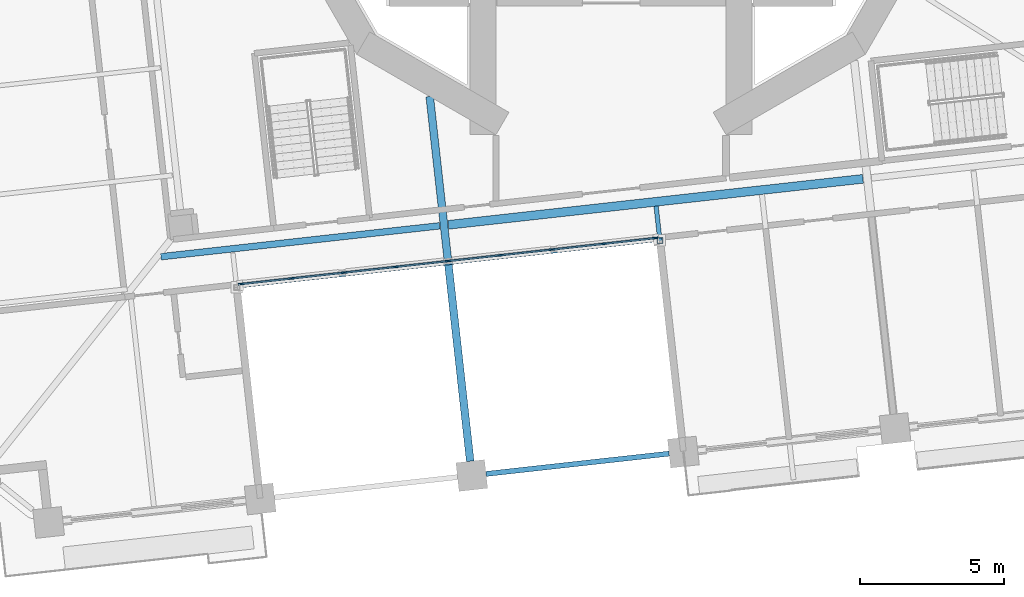
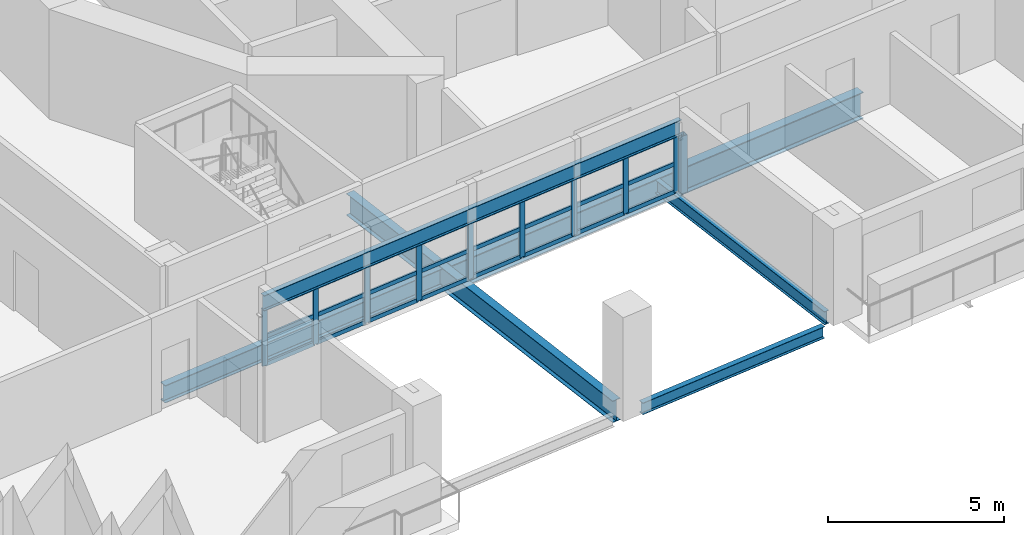
# One storey, part 3 of 21: 34 members, 6 beams, 1 element without a shape of its own.
"""IFC4 building model written with IfcOpenShell, lengths in metres."""

from ifc_helpers import new_model, si_unit, direction, frame, origin, origin_2d, place, context, subcontext, project, spatial, rectangle, hollow_rectangle, i_section, extrude, material, material_profile, profile_set, type_object, element, aggregate, save


model = new_model("IFC4")

# Units and contexts
model_context = context("Model", 3, precision=1e-05, world=origin(), true_north=direction((0.0, 1.0)))
body_context = subcontext(model_context, "Body", "Model", "MODEL_VIEW")
ifc_project = project(units=[si_unit("LENGTHUNIT", "METRE"), si_unit("AREAUNIT", "SQUARE_METRE"), si_unit("VOLUMEUNIT", "CUBIC_METRE"), si_unit("PLANEANGLEUNIT", "RADIAN"), si_unit("MASSUNIT", "GRAM", prefix="KILO")], contexts=[model_context])

# Site, building, storey
site_placement = place(None, origin())
site = spatial("IfcSite", under=ifc_project, at=site_placement, CompositionType="ELEMENT")
building_placement = place(site_placement, origin())
building = spatial("IfcBuilding", under=site, at=building_placement, Name="Cantera Rosa Tower", CompositionType="ELEMENT")
storey_placement = place(building_placement, frame((0.0, 0.0, 80.5)))
storey = spatial("IfcBuildingStorey", under=building, at=storey_placement, Name="L17", CompositionType="ELEMENT", Elevation=80.5)

# Curtain wall, members
ifc_material_1 = material(Name="Aluminium frame with clear glass", Category="aluminium")
curtain_wall_type = type_object("IfcCurtainWallType", Name="CW1 TERRACE POCKET GLAZING", PredefinedType="NOTDEFINED", material=ifc_material_1)
curtain_wall_placement = place(storey_placement, origin())
curtain_wall = element("IfcCurtainWall", 1, at=curtain_wall_placement, inside=storey, type_object=curtain_wall_type, Name="CW1 CW1", PredefinedType="NOTDEFINED")
ifc_material_2 = material(Name="Anodised bronze aluminium", Category="aluminium")
ifc_material_profile_1 = material_profile(ifc_material_2, rectangle(XDim=0.06005859375, YDim=0.179931640625, at=origin_2d()), Name="CW-MULLION 60x180 POCKET")
ifc_profile_set_1 = profile_set([ifc_material_profile_1], Name="Anodised bronze aluminium")
member_type_1 = type_object("IfcMemberType", Name="CW-MULLION 60x180 POCKET", PredefinedType="MULLION", material=ifc_profile_set_1)
member_1_placement = place(storey_placement, frame((-12.867919921875, -16.822265625, 0.0), z_axis=(0.0, 0.0, 1.0), x_axis=(-0.110312555543, 0.993896946413, 0.0)))
member_1 = element("IfcMember", 2, at=member_1_placement, type_object=member_type_1, Name="CW1 mullion 1", PredefinedType="MULLION", context=body_context, shape_type="SweptSolid", body=[
    extrude(rectangle(XDim=0.06005859375, YDim=0.179931640625, at=origin_2d()), origin(), (0.0, 0.0, 1.0), 1.986083984375),
])
member_2_placement = place(storey_placement, frame((-11.090087890625, -16.624755859375, 0.0), z_axis=(0.0, 0.0, 1.0), x_axis=(-0.110312555543, 0.993896946413, 0.0)))
member_2 = element("IfcMember", 3, at=member_2_placement, type_object=member_type_1, Name="CW1 mullion 2", PredefinedType="MULLION", context=body_context, shape_type="SweptSolid", body=[
    extrude(rectangle(XDim=0.06005859375, YDim=0.179931640625, at=origin_2d()), origin(), (0.0, 0.0, 1.0), 1.986083984375),
])
member_3_placement = place(storey_placement, frame((-9.282470703125, -16.42431640625, 0.0), z_axis=(0.0, 0.0, 1.0), x_axis=(-0.110312555543, 0.993896946413, 0.0)))
member_3 = element("IfcMember", 4, at=member_3_placement, type_object=member_type_1, Name="CW1 mullion 3", PredefinedType="MULLION", context=body_context, shape_type="SweptSolid", body=[
    extrude(rectangle(XDim=0.06005859375, YDim=0.179931640625, at=origin_2d()), origin(), (0.0, 0.0, 1.0), 1.986083984375),
])
member_4_placement = place(storey_placement, frame((-7.474609375, -16.2236328125, 0.0), z_axis=(0.0, 0.0, 1.0), x_axis=(-0.110312555543, 0.993896946413, 0.0)))
member_4 = element("IfcMember", 5, at=member_4_placement, type_object=member_type_1, Name="CW1 mullion 4", PredefinedType="MULLION", context=body_context, shape_type="SweptSolid", body=[
    extrude(rectangle(XDim=0.06005859375, YDim=0.179931640625, at=origin_2d()), origin(), (0.0, 0.0, 1.0), 1.986083984375),
])
member_5_placement = place(storey_placement, frame((-5.6669921875, -16.02294921875, 0.0), z_axis=(0.0, 0.0, 1.0), x_axis=(-0.110312555543, 0.993896946413, 0.0)))
member_5 = element("IfcMember", 6, at=member_5_placement, type_object=member_type_1, Name="CW1 mullion 5", PredefinedType="MULLION", context=body_context, shape_type="SweptSolid", body=[
    extrude(rectangle(XDim=0.06005859375, YDim=0.179931640625, at=origin_2d()), origin(), (0.0, 0.0, 1.0), 1.986083984375),
])
member_6_placement = place(storey_placement, frame((-3.859375, -15.822265625, 0.0), z_axis=(0.0, 0.0, 1.0), x_axis=(-0.110312555543, 0.993896946413, 0.0)))
member_6 = element("IfcMember", 7, at=member_6_placement, type_object=member_type_1, Name="CW1 mullion 6", PredefinedType="MULLION", context=body_context, shape_type="SweptSolid", body=[
    extrude(rectangle(XDim=0.06005859375, YDim=0.179931640625, at=origin_2d()), origin(), (0.0, 0.0, 1.0), 1.986083984375),
])
member_7_placement = place(storey_placement, frame((-2.0517578125, -15.62158203125, 0.0), z_axis=(0.0, 0.0, 1.0), x_axis=(-0.110312555543, 0.993896946413, 0.0)))
member_7 = element("IfcMember", 8, at=member_7_placement, type_object=member_type_1, Name="CW1 mullion 7", PredefinedType="MULLION", context=body_context, shape_type="SweptSolid", body=[
    extrude(rectangle(XDim=0.06005859375, YDim=0.179931640625, at=origin_2d()), origin(), (0.0, 0.0, 1.0), 1.986083984375),
])
member_8_placement = place(storey_placement, frame((-0.244140625, -15.421142578125, 0.0), z_axis=(0.0, 0.0, 1.0), x_axis=(-0.110312555543, 0.993896946413, 0.0)))
member_8 = element("IfcMember", 9, at=member_8_placement, type_object=member_type_1, Name="CW1 mullion 8", PredefinedType="MULLION", context=body_context, shape_type="SweptSolid", body=[
    extrude(rectangle(XDim=0.06005859375, YDim=0.179931640625, at=origin_2d()), origin(), (0.0, 0.0, 1.0), 1.986083984375),
])
member_9_placement = place(storey_placement, frame((1.53369140625, -15.2236328125, 0.0), z_axis=(0.0, 0.0, 1.0), x_axis=(-0.110312555543, 0.993896946413, 0.0)))
member_9 = element("IfcMember", 10, at=member_9_placement, type_object=member_type_1, Name="CW1 mullion 9", PredefinedType="MULLION", context=body_context, shape_type="SweptSolid", body=[
    extrude(rectangle(XDim=0.06005859375, YDim=0.179931640625, at=origin_2d()), origin(), (0.0, 0.0, 1.0), 1.986083984375),
])
ifc_material_3 = material(Name="Anodised bronze aluminium", Category="aluminium")
ifc_material_profile_2 = material_profile(ifc_material_3, rectangle(XDim=0.06005859375, YDim=0.139892578125, at=origin_2d()), Name="CW-TRANSOM 60x140 POCKET")
ifc_profile_set_2 = profile_set([ifc_material_profile_2], Name="Anodised bronze aluminium")
member_type_2 = type_object("IfcMemberType", Name="CW-TRANSOM 60x140 POCKET", PredefinedType="USERDEFINED", material=ifc_profile_set_2)
member_10_placement = place(storey_placement, frame((-12.838134765625, -16.81884765625, 0.030029296875), z_axis=(0.993899224529, 0.110292028184, 0.0), x_axis=(-0.110292028184, 0.993899224529, 0.0)))
member_10 = element("IfcMember", 11, at=member_10_placement, type_object=member_type_2, Name="CW1 transom 1.1", ObjectType="TRANSOM", PredefinedType="USERDEFINED", context=body_context, shape_type="SweptSolid", body=[
    extrude(rectangle(XDim=0.06005859375, YDim=0.139892578125, at=origin_2d()), origin(), (0.0, 0.0, 1.0), 1.728759765625),
])
member_11_placement = place(storey_placement, frame((-12.838134765625, -16.81884765625, 0.992919921875), z_axis=(0.993899224529, 0.110292028184, 0.0), x_axis=(-0.110292028184, 0.993899224529, 0.0)))
member_11 = element("IfcMember", 12, at=member_11_placement, type_object=member_type_2, Name="CW1 transom 1.2", ObjectType="TRANSOM", PredefinedType="USERDEFINED", context=body_context, shape_type="SweptSolid", body=[
    extrude(rectangle(XDim=0.06005859375, YDim=0.139892578125, at=origin_2d()), origin(), (0.0, 0.0, 1.0), 1.728759765625),
])
member_12_placement = place(storey_placement, frame((-12.838134765625, -16.81884765625, 1.9560546875), z_axis=(0.993899224529, 0.110292028184, 0.0), x_axis=(-0.110292028184, 0.993899224529, 0.0)))
member_12 = element("IfcMember", 13, at=member_12_placement, type_object=member_type_2, Name="CW1 transom 1.3", ObjectType="TRANSOM", PredefinedType="USERDEFINED", context=body_context, shape_type="SweptSolid", body=[
    extrude(rectangle(XDim=0.06005859375, YDim=0.139892578125, at=origin_2d()), origin(), (0.0, 0.0, 1.0), 1.728759765625),
])
member_13_placement = place(storey_placement, frame((-11.060302734375, -16.62158203125, 0.030029296875), z_axis=(0.993892195886, 0.110355348566, 0.0), x_axis=(-0.110355348566, 0.993892195886, 0.0)))
member_13 = element("IfcMember", 14, at=member_13_placement, type_object=member_type_2, Name="CW1 transom 2.1", ObjectType="TRANSOM", PredefinedType="USERDEFINED", context=body_context, shape_type="SweptSolid", body=[
    extrude(rectangle(XDim=0.06005859375, YDim=0.139892578125, at=origin_2d()), origin(), (0.0, 0.0, 1.0), 1.7587890625),
])
member_14_placement = place(storey_placement, frame((-11.060302734375, -16.62158203125, 0.992919921875), z_axis=(0.993892195886, 0.110355348566, 0.0), x_axis=(-0.110355348566, 0.993892195886, 0.0)))
member_14 = element("IfcMember", 15, at=member_14_placement, type_object=member_type_2, Name="CW1 transom 2.2", ObjectType="TRANSOM", PredefinedType="USERDEFINED", context=body_context, shape_type="SweptSolid", body=[
    extrude(rectangle(XDim=0.06005859375, YDim=0.139892578125, at=origin_2d()), origin(), (0.0, 0.0, 1.0), 1.7587890625),
])
member_15_placement = place(storey_placement, frame((-11.060302734375, -16.62158203125, 1.9560546875), z_axis=(0.993892195886, 0.110355348566, 0.0), x_axis=(-0.110355348566, 0.993892195886, 0.0)))
member_15 = element("IfcMember", 16, at=member_15_placement, type_object=member_type_2, Name="CW1 transom 2.3", ObjectType="TRANSOM", PredefinedType="USERDEFINED", context=body_context, shape_type="SweptSolid", body=[
    extrude(rectangle(XDim=0.06005859375, YDim=0.139892578125, at=origin_2d()), origin(), (0.0, 0.0, 1.0), 1.7587890625),
])
member_16_placement = place(storey_placement, frame((-9.25244140625, -16.4208984375, 0.030029296875), z_axis=(0.993890505044, 0.11037057571, 0.0), x_axis=(-0.11037057571, 0.993890505044, 0.0)))
member_16 = element("IfcMember", 17, at=member_16_placement, type_object=member_type_2, Name="CW1 transom 3.1", ObjectType="TRANSOM", PredefinedType="USERDEFINED", context=body_context, shape_type="SweptSolid", body=[
    extrude(rectangle(XDim=0.06005859375, YDim=0.139892578125, at=origin_2d()), origin(), (0.0, 0.0, 1.0), 1.758544921875),
])
member_17_placement = place(storey_placement, frame((-9.25244140625, -16.4208984375, 0.992919921875), z_axis=(0.993890505044, 0.11037057571, 0.0), x_axis=(-0.11037057571, 0.993890505044, 0.0)))
member_17 = element("IfcMember", 18, at=member_17_placement, type_object=member_type_2, Name="CW1 transom 3.2", ObjectType="TRANSOM", PredefinedType="USERDEFINED", context=body_context, shape_type="SweptSolid", body=[
    extrude(rectangle(XDim=0.06005859375, YDim=0.139892578125, at=origin_2d()), origin(), (0.0, 0.0, 1.0), 1.758544921875),
])
member_18_placement = place(storey_placement, frame((-9.25244140625, -16.4208984375, 1.9560546875), z_axis=(0.993890505044, 0.11037057571, 0.0), x_axis=(-0.11037057571, 0.993890505044, 0.0)))
member_18 = element("IfcMember", 19, at=member_18_placement, type_object=member_type_2, Name="CW1 transom 3.3", ObjectType="TRANSOM", PredefinedType="USERDEFINED", context=body_context, shape_type="SweptSolid", body=[
    extrude(rectangle(XDim=0.06005859375, YDim=0.139892578125, at=origin_2d()), origin(), (0.0, 0.0, 1.0), 1.758544921875),
])
member_19_placement = place(storey_placement, frame((-7.44482421875, -16.22021484375, 0.030029296875), z_axis=(0.993907411717, 0.110218224148, 0.0), x_axis=(-0.110218224148, 0.993907411717, 0.0)))
member_19 = element("IfcMember", 20, at=member_19_placement, type_object=member_type_2, Name="CW1 transom 4.1", ObjectType="TRANSOM", PredefinedType="USERDEFINED", context=body_context, shape_type="SweptSolid", body=[
    extrude(rectangle(XDim=0.06005859375, YDim=0.139892578125, at=origin_2d()), origin(), (0.0, 0.0, 1.0), 1.7587890625),
])
member_20_placement = place(storey_placement, frame((-7.44482421875, -16.22021484375, 0.992919921875), z_axis=(0.993907411717, 0.110218224148, 0.0), x_axis=(-0.110218224148, 0.993907411717, 0.0)))
member_20 = element("IfcMember", 21, at=member_20_placement, type_object=member_type_2, Name="CW1 transom 4.2", ObjectType="TRANSOM", PredefinedType="USERDEFINED", context=body_context, shape_type="SweptSolid", body=[
    extrude(rectangle(XDim=0.06005859375, YDim=0.139892578125, at=origin_2d()), origin(), (0.0, 0.0, 1.0), 1.7587890625),
])
member_21_placement = place(storey_placement, frame((-7.44482421875, -16.22021484375, 1.9560546875), z_axis=(0.993907411717, 0.110218224148, 0.0), x_axis=(-0.110218224148, 0.993907411717, 0.0)))
member_21 = element("IfcMember", 22, at=member_21_placement, type_object=member_type_2, Name="CW1 transom 4.3", ObjectType="TRANSOM", PredefinedType="USERDEFINED", context=body_context, shape_type="SweptSolid", body=[
    extrude(rectangle(XDim=0.06005859375, YDim=0.139892578125, at=origin_2d()), origin(), (0.0, 0.0, 1.0), 1.7587890625),
])
member_22_placement = place(storey_placement, frame((-5.63720703125, -16.01953125, 0.030029296875), z_axis=(0.993907411717, 0.110218224148, 0.0), x_axis=(-0.110218224148, 0.993907411717, 0.0)))
member_22 = element("IfcMember", 23, at=member_22_placement, type_object=member_type_2, Name="CW1 transom 5.1", ObjectType="TRANSOM", PredefinedType="USERDEFINED", context=body_context, shape_type="SweptSolid", body=[
    extrude(rectangle(XDim=0.06005859375, YDim=0.139892578125, at=origin_2d()), origin(), (0.0, 0.0, 1.0), 1.7587890625),
])
member_23_placement = place(storey_placement, frame((-5.63720703125, -16.01953125, 0.992919921875), z_axis=(0.993907411717, 0.110218224148, 0.0), x_axis=(-0.110218224148, 0.993907411717, 0.0)))
member_23 = element("IfcMember", 24, at=member_23_placement, type_object=member_type_2, Name="CW1 transom 5.2", ObjectType="TRANSOM", PredefinedType="USERDEFINED", context=body_context, shape_type="SweptSolid", body=[
    extrude(rectangle(XDim=0.06005859375, YDim=0.139892578125, at=origin_2d()), origin(), (0.0, 0.0, 1.0), 1.7587890625),
])
member_24_placement = place(storey_placement, frame((-5.63720703125, -16.01953125, 1.9560546875), z_axis=(0.993907411717, 0.110218224148, 0.0), x_axis=(-0.110218224148, 0.993907411717, 0.0)))
member_24 = element("IfcMember", 25, at=member_24_placement, type_object=member_type_2, Name="CW1 transom 5.3", ObjectType="TRANSOM", PredefinedType="USERDEFINED", context=body_context, shape_type="SweptSolid", body=[
    extrude(rectangle(XDim=0.06005859375, YDim=0.139892578125, at=origin_2d()), origin(), (0.0, 0.0, 1.0), 1.7587890625),
])
member_25_placement = place(storey_placement, frame((-3.82958984375, -15.819091796875, 0.030029296875), z_axis=(0.993892195886, 0.110355348566, 0.0), x_axis=(-0.110355348566, 0.993892195886, 0.0)))
member_25 = element("IfcMember", 26, at=member_25_placement, type_object=member_type_2, Name="CW1 transom 6.1", ObjectType="TRANSOM", PredefinedType="USERDEFINED", context=body_context, shape_type="SweptSolid", body=[
    extrude(rectangle(XDim=0.06005859375, YDim=0.139892578125, at=origin_2d()), origin(), (0.0, 0.0, 1.0), 1.7587890625),
])
member_26_placement = place(storey_placement, frame((-3.82958984375, -15.819091796875, 0.992919921875), z_axis=(0.993892195886, 0.110355348566, 0.0), x_axis=(-0.110355348566, 0.993892195886, 0.0)))
member_26 = element("IfcMember", 27, at=member_26_placement, type_object=member_type_2, Name="CW1 transom 6.2", ObjectType="TRANSOM", PredefinedType="USERDEFINED", context=body_context, shape_type="SweptSolid", body=[
    extrude(rectangle(XDim=0.06005859375, YDim=0.139892578125, at=origin_2d()), origin(), (0.0, 0.0, 1.0), 1.7587890625),
])
member_27_placement = place(storey_placement, frame((-3.82958984375, -15.819091796875, 1.9560546875), z_axis=(0.993892195886, 0.110355348566, 0.0), x_axis=(-0.110355348566, 0.993892195886, 0.0)))
member_27 = element("IfcMember", 28, at=member_27_placement, type_object=member_type_2, Name="CW1 transom 6.3", ObjectType="TRANSOM", PredefinedType="USERDEFINED", context=body_context, shape_type="SweptSolid", body=[
    extrude(rectangle(XDim=0.06005859375, YDim=0.139892578125, at=origin_2d()), origin(), (0.0, 0.0, 1.0), 1.7587890625),
])
member_28_placement = place(storey_placement, frame((-2.02197265625, -15.618408203125, 0.030029296875), z_axis=(0.993892195886, 0.110355348566, 0.0), x_axis=(-0.110355348566, 0.993892195886, 0.0)))
member_28 = element("IfcMember", 29, at=member_28_placement, type_object=member_type_2, Name="CW1 transom 7.1", ObjectType="TRANSOM", PredefinedType="USERDEFINED", context=body_context, shape_type="SweptSolid", body=[
    extrude(rectangle(XDim=0.06005859375, YDim=0.139892578125, at=origin_2d()), origin(), (0.0, 0.0, 1.0), 1.7587890625),
])
member_29_placement = place(storey_placement, frame((-2.02197265625, -15.618408203125, 0.992919921875), z_axis=(0.993892195886, 0.110355348566, 0.0), x_axis=(-0.110355348566, 0.993892195886, 0.0)))
member_29 = element("IfcMember", 30, at=member_29_placement, type_object=member_type_2, Name="CW1 transom 7.2", ObjectType="TRANSOM", PredefinedType="USERDEFINED", context=body_context, shape_type="SweptSolid", body=[
    extrude(rectangle(XDim=0.06005859375, YDim=0.139892578125, at=origin_2d()), origin(), (0.0, 0.0, 1.0), 1.7587890625),
])
member_30_placement = place(storey_placement, frame((-2.02197265625, -15.618408203125, 1.9560546875), z_axis=(0.993892195886, 0.110355348566, 0.0), x_axis=(-0.110355348566, 0.993892195886, 0.0)))
member_30 = element("IfcMember", 31, at=member_30_placement, type_object=member_type_2, Name="CW1 transom 7.3", ObjectType="TRANSOM", PredefinedType="USERDEFINED", context=body_context, shape_type="SweptSolid", body=[
    extrude(rectangle(XDim=0.06005859375, YDim=0.139892578125, at=origin_2d()), origin(), (0.0, 0.0, 1.0), 1.7587890625),
])
member_31_placement = place(storey_placement, frame((-0.21435546875, -15.417724609375, 0.030029296875), z_axis=(0.993899224529, 0.110292028184, 0.0), x_axis=(-0.110292028184, 0.993899224529, 0.0)))
member_31 = element("IfcMember", 32, at=member_31_placement, type_object=member_type_2, Name="CW1 transom 8.1", ObjectType="TRANSOM", PredefinedType="USERDEFINED", context=body_context, shape_type="SweptSolid", body=[
    extrude(rectangle(XDim=0.06005859375, YDim=0.139892578125, at=origin_2d()), origin(), (0.0, 0.0, 1.0), 1.728759765625),
])
member_32_placement = place(storey_placement, frame((-0.21435546875, -15.417724609375, 0.992919921875), z_axis=(0.993899224529, 0.110292028184, 0.0), x_axis=(-0.110292028184, 0.993899224529, 0.0)))
member_32 = element("IfcMember", 33, at=member_32_placement, type_object=member_type_2, Name="CW1 transom 8.2", ObjectType="TRANSOM", PredefinedType="USERDEFINED", context=body_context, shape_type="SweptSolid", body=[
    extrude(rectangle(XDim=0.06005859375, YDim=0.139892578125, at=origin_2d()), origin(), (0.0, 0.0, 1.0), 1.728759765625),
])
member_33_placement = place(storey_placement, frame((-0.21435546875, -15.417724609375, 1.9560546875), z_axis=(0.993899224529, 0.110292028184, 0.0), x_axis=(-0.110292028184, 0.993899224529, 0.0)))
member_33 = element("IfcMember", 34, at=member_33_placement, type_object=member_type_2, Name="CW1 transom 8.3", ObjectType="TRANSOM", PredefinedType="USERDEFINED", context=body_context, shape_type="SweptSolid", body=[
    extrude(rectangle(XDim=0.06005859375, YDim=0.139892578125, at=origin_2d()), origin(), (0.0, 0.0, 1.0), 1.728759765625),
])
aggregate(curtain_wall, [member_1, member_2, member_3, member_4, member_5, member_6, member_7, member_8, member_9, member_10, member_11, member_12, member_13, member_14, member_15, member_16, member_17, member_18, member_19, member_20, member_21, member_22, member_23, member_24, member_25, member_26, member_27, member_28, member_29, member_30, member_31, member_32, member_33])

# Member
ifc_material_4 = material(Name="Steel ASTM A992 (Fy 345 MPa)", Category="steel")
ifc_material_profile_3 = material_profile(ifc_material_4, hollow_rectangle(XDim=0.199951171875, YDim=0.199951171875, WallThickness=0.010009765625, at=origin_2d()), Name="LINTEL POST RHS 200x200x10")
ifc_profile_set_3 = profile_set([ifc_material_profile_3], Name="Steel ASTM A992 (Fy 345 MPa)")
member_type_3 = type_object("IfcMemberType", Name="LINTEL POST RHS 200x200x10", PredefinedType="USERDEFINED", material=ifc_profile_set_3)
member_34_placement = place(storey_placement, frame((1.69873046875, -15.305908203125, 0.0), z_axis=(0.0, 0.0, 1.0), x_axis=(1.0, 0.0, 0.0)))
element("IfcMember", 35, at=member_34_placement, inside=storey, type_object=member_type_3, Name="LINTEL POST L17-2", ObjectType="LINTEL POST", PredefinedType="USERDEFINED", context=body_context, shape_type="SweptSolid", body=[
    extrude(hollow_rectangle(XDim=0.199951171875, YDim=0.199951171875, WallThickness=0.010009765625, at=origin_2d()), origin(), (0.0, 0.0, 1.0), 1.988037109375),
])

# Beams
ifc_material_5 = material(Name="Steel ASTM A992 (Fy 345 MPa)", Category="steel")
ifc_material_profile_4 = material_profile(ifc_material_5, i_section(OverallWidth=0.154052734375, OverallDepth=0.4599609375, WebThickness=0.009033203125, FlangeThickness=0.015380859375, FilletRadius=0.01025390625, at=origin_2d()), Name="W460X68")
ifc_profile_set_4 = profile_set([ifc_material_profile_4], Name="Steel ASTM A992 (Fy 345 MPa)")
beam_type_1 = type_object("IfcBeamType", Name="STEEL BEAM W460X68", PredefinedType="BEAM", material=ifc_profile_set_4)
beam_1_placement = place(storey_placement, frame((2.4599609375, -22.163818359375, -0.47998046875), z_axis=(-0.110315740112, 0.993896592953, 0.0), x_axis=(-0.993896592953, -0.110315740112, 0.0)))
element("IfcBeam", 36, at=beam_1_placement, inside=storey, type_object=beam_type_1, Name="G-Z1-12 L17", PredefinedType="BEAM", context=body_context, shape_type="SweptSolid", body=[
    extrude(i_section(OverallWidth=0.154052734375, OverallDepth=0.4599609375, WebThickness=0.009033203125, FlangeThickness=0.015380859375, FilletRadius=0.01025390625, at=origin_2d()), origin(), (0.0, 0.0, 1.0), 8.099853515625),
])
ifc_material_6 = material(Name="Steel ASTM A992 (Fy 345 MPa)", Category="steel")
ifc_material_profile_5 = material_profile(ifc_material_6, i_section(OverallWidth=0.166015625, OverallDepth=0.528076171875, WebThickness=0.009765625, FlangeThickness=0.013671875, FilletRadius=0.0126953125, at=origin_2d()), Name="W530X74")
ifc_profile_set_5 = profile_set([ifc_material_profile_5], Name="Steel ASTM A992 (Fy 345 MPa)")
beam_type_2 = type_object("IfcBeamType", Name="STEEL BEAM W530X74", PredefinedType="BEAM", material=ifc_profile_set_5)
beam_2_placement = place(storey_placement, frame((-12.966796875, -16.88330078125, 2.251953125), z_axis=(0.993897094914, 0.110311217573, 0.0), x_axis=(-0.110311217573, 0.993897094914, 0.0)))
element("IfcBeam", 37, at=beam_2_placement, inside=storey, type_object=beam_type_2, Name="LINTEL SL-L17", PredefinedType="BEAM", context=body_context, shape_type="SweptSolid", body=[
    extrude(i_section(OverallWidth=0.166015625, OverallDepth=0.528076171875, WebThickness=0.009765625, FlangeThickness=0.013671875, FilletRadius=0.0126953125, at=origin_2d()), origin(), (0.0, 0.0, 1.0), 14.699951171875),
])
ifc_material_7 = material(Name="Steel ASTM A992 (Fy 345 MPa)", Category="steel")
ifc_material_profile_6 = material_profile(ifc_material_7, i_section(OverallWidth=0.22900390625, OverallDepth=0.612060546875, WebThickness=0.011962890625, FlangeThickness=0.01953125, FilletRadius=0.0126953125, at=origin_2d()), Name="W610X125")
ifc_profile_set_6 = profile_set([ifc_material_profile_6], Name="Steel ASTM A992 (Fy 345 MPa)")
beam_type_3 = type_object("IfcBeamType", Name="STEEL BEAM W610X125", PredefinedType="BEAM", material=ifc_profile_set_6)
beam_3_placement = place(storey_placement, frame((-15.64453125, -15.87255859375, -0.555908203125), z_axis=(0.993898078625, 0.110302354035, 0.0), x_axis=(-0.110302354035, 0.993898078625, 0.0)))
element("IfcBeam", 38, at=beam_3_placement, inside=storey, type_object=beam_type_3, Name="RB-Z1-04 L17", PredefinedType="BEAM", context=body_context, shape_type="SweptSolid", body=[
    extrude(i_section(OverallWidth=0.22900390625, OverallDepth=0.612060546875, WebThickness=0.011962890625, FlangeThickness=0.01953125, FilletRadius=0.0126953125, at=origin_2d()), origin(), (0.0, 0.0, 1.0), 9.75),
])
ifc_material_8 = material(Name="Steel ASTM A992 (Fy 345 MPa)", Category="steel")
ifc_material_profile_7 = material_profile(ifc_material_8, i_section(OverallWidth=0.26708984375, OverallDepth=0.75390625, WebThickness=0.01318359375, FlangeThickness=0.01708984375, FilletRadius=0.0166015625, at=origin_2d()), Name="W760X147")
ifc_profile_set_7 = profile_set([ifc_material_profile_7], Name="Steel ASTM A992 (Fy 345 MPa)")
beam_type_4 = type_object("IfcBeamType", Name="STEEL BEAM W760X147", PredefinedType="BEAM", material=ifc_profile_set_7)
beam_4_placement = place(storey_placement, frame((-4.894775390625, -22.980224609375, -0.626953125), z_axis=(-0.11031177493, 0.993897033053, 0.0), x_axis=(-0.993897033053, -0.11031177493, 0.0)))
element("IfcBeam", 39, at=beam_4_placement, inside=storey, type_object=beam_type_4, Name="G-Z1-11 L17", PredefinedType="BEAM", context=body_context, shape_type="SweptSolid", body=[
    extrude(i_section(OverallWidth=0.26708984375, OverallDepth=0.75390625, WebThickness=0.01318359375, FlangeThickness=0.01708984375, FilletRadius=0.0166015625, at=origin_2d()), origin(), (0.0, 0.0, 1.0), 12.754638671875),
])
ifc_material_9 = material(Name="Steel ASTM A992 (Fy 345 MPa)", Category="steel")
ifc_material_profile_8 = material_profile(ifc_material_9, i_section(OverallWidth=0.304931640625, OverallDepth=0.9189453125, WebThickness=0.017333984375, FlangeThickness=0.02783203125, FilletRadius=0.01904296875, at=origin_2d()), Name="W920X253")
ifc_profile_set_8 = profile_set([ifc_material_profile_8], Name="Steel ASTM A992 (Fy 345 MPa)")
beam_type_5 = type_object("IfcBeamType", Name="STEEL BEAM W920X253", PredefinedType="BEAM", material=ifc_profile_set_8)
beam_5_placement = place(storey_placement, frame((-5.65576171875, -14.763916015625, -0.70947265625), z_axis=(0.993898099692, 0.110302164209, 0.0), x_axis=(-0.110302164209, 0.993898099692, 0.0)))
element("IfcBeam", 40, at=beam_5_placement, inside=storey, type_object=beam_type_5, Name="RB-Z1-05 L17", PredefinedType="BEAM", context=body_context, shape_type="SweptSolid", body=[
    extrude(i_section(OverallWidth=0.304931640625, OverallDepth=0.9189453125, WebThickness=0.017333984375, FlangeThickness=0.02783203125, FilletRadius=0.01904296875, at=origin_2d()), origin(), (0.0, 0.0, 1.0), 14.499755859375),
])
ifc_material_10 = material(Name="Steel ASTM A992 (Fy 345 MPa)", Category="steel")
ifc_material_profile_9 = material_profile(ifc_material_10, i_section(OverallWidth=0.177978515625, OverallDepth=0.406005859375, WebThickness=0.0078125, FlangeThickness=0.0126953125, FilletRadius=0.01025390625, at=origin_2d()), Name="W410X60")
ifc_profile_set_9 = profile_set([ifc_material_profile_9], Name="Steel ASTM A992 (Fy 345 MPa)")
beam_type_6 = type_object("IfcBeamType", Name="STEEL SPANDREL BEAM W410X60", PredefinedType="SPANDREL", material=ifc_profile_set_9)
beam_6_placement = place(storey_placement, frame((-4.3427734375, -23.422119140625, -0.452880859375), z_axis=(0.993895824271, 0.110322665379, 0.0), x_axis=(-0.110322665379, 0.993895824271, 0.0)))
element("IfcBeam", 41, at=beam_6_placement, inside=storey, type_object=beam_type_6, Name="EB-Z1-25 L17", PredefinedType="SPANDREL", context=body_context, shape_type="SweptSolid", body=[
    extrude(i_section(OverallWidth=0.177978515625, OverallDepth=0.406005859375, WebThickness=0.0078125, FlangeThickness=0.0126953125, FilletRadius=0.01025390625, at=origin_2d()), origin(), (0.0, 0.0, 1.0), 6.39990234375),
])

save(model, "model.ifc")
